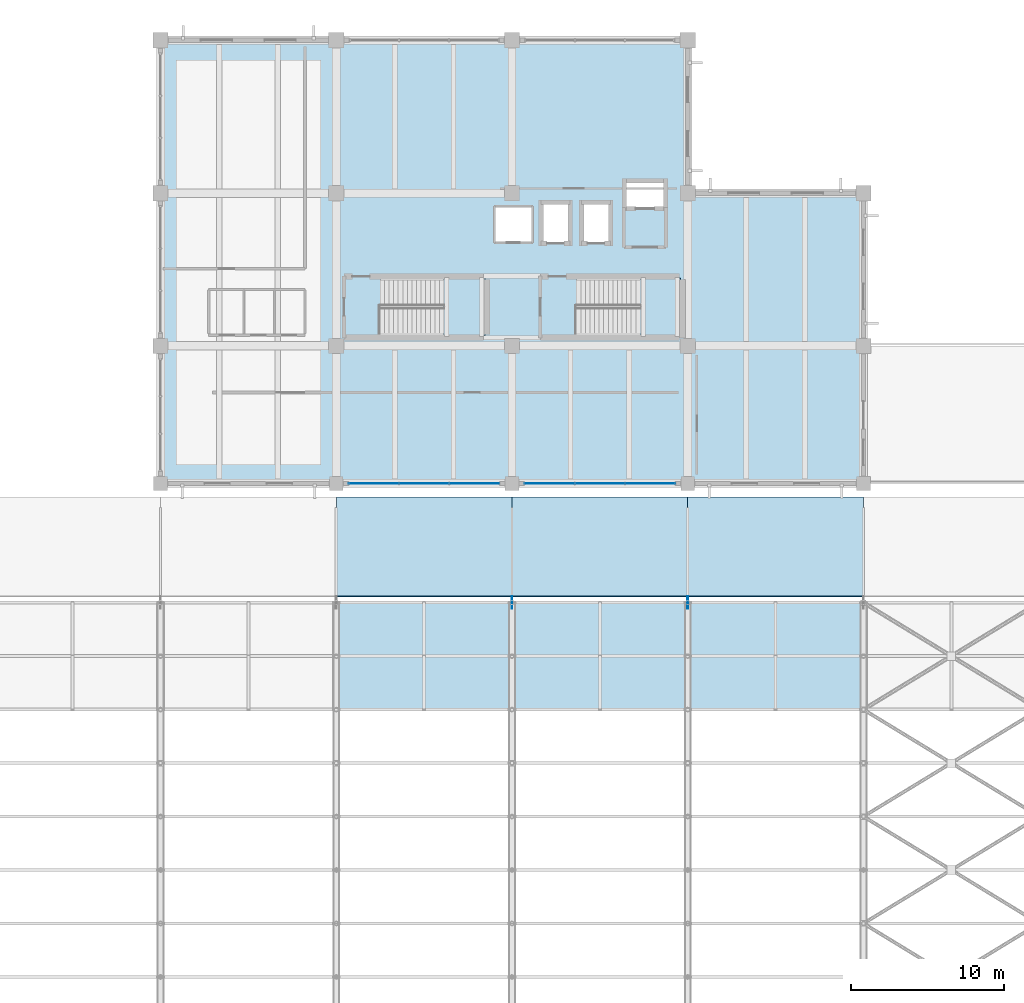
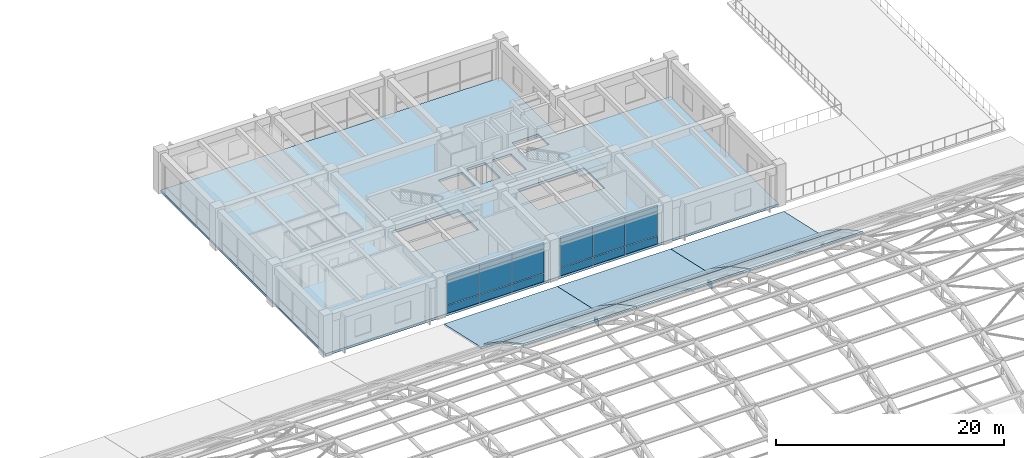
# One storey, part 132 of 154: 20 plates, 12 slabs, 4 elements without a shape of their own.
"""IFC4 building model written with IfcOpenShell, lengths in metres."""

from ifc_helpers import new_model, si_unit, direction, frame, origin, origin_2d, place, context, subcontext, project, spatial, polyline, rectangle, outline, extrude, material, layer, layer_set, type_object, element, aggregate, save


model = new_model("IFC4")

# Units and contexts
model_context = context("Model", 3, precision=1e-05, world=origin(), true_north=direction((0.0, 1.0)))
body_context = subcontext(model_context, "Body", "Model", "MODEL_VIEW")
ifc_project = project(units=[si_unit("LENGTHUNIT", "METRE"), si_unit("AREAUNIT", "SQUARE_METRE"), si_unit("VOLUMEUNIT", "CUBIC_METRE"), si_unit("PLANEANGLEUNIT", "RADIAN"), si_unit("MASSUNIT", "GRAM", prefix="KILO")], contexts=[model_context])

# Site, building, storey
site_placement = place(None, origin())
site = spatial("IfcSite", under=ifc_project, at=site_placement, CompositionType="ELEMENT")
building_placement = place(site_placement, origin())
building = spatial("IfcBuilding", under=site, at=building_placement, Name="Ologun Quay Terminus", CompositionType="ELEMENT")
storey_placement = place(building_placement, frame((0.0, 0.0, 13.800048828125)))
storey = spatial("IfcBuildingStorey", under=building, at=storey_placement, Name="L03", CompositionType="ELEMENT", Elevation=13.800048828125)

# Plates
ifc_material_1 = material(Name="Steel S355", Category="steel")
ifc_layer_1 = layer(ifc_material_1, 0.0400390625)
ifc_layer_set_1 = layer_set([ifc_layer_1], Name="Steel S355")
plate_type_1 = type_object("IfcPlateType", Name="Arch Springing Steel Gusset Plate 40", PredefinedType="SHEET", material=ifc_layer_set_1)
for number, where, z_axis, x_axis, name in (
    (1, (138.0, 78.0, -0.2001953125), (0.0, 0.0, 1.0), (0.0, 1.0, 0.0), "PL-GUS Arch Springing Gusset 13/F"),
    (2, (149.5, 78.0, -0.2001953125), (0.0, 0.0, 1.0), (0.0, 1.0, 0.0), "PL-GUS Arch Springing Gusset 14/F"),
):
    element("IfcPlate", number, at=place(storey_placement, frame(where, z_axis=z_axis, x_axis=x_axis)), inside=storey, type_object=plate_type_1, Name=name, PredefinedType="SHEET", context=body_context, shape_type="SweptSolid", body=[
        extrude(rectangle(XDim=0.800048828125, YDim=0.0400390625, at=origin_2d()), origin(), (0.0, 0.0, 1.0), 0.699951171875),
    ])

# Curtain wall, plates
ifc_material_2 = material(Name="Aluminium 6063-T6", Category="aluminium")
curtain_wall_type = type_object("IfcCurtainWallType", Name="Waterfront Pavilion Harbour Curtain Wall L03 10600x4150", PredefinedType="USERDEFINED", material=ifc_material_2)
curtain_wall_1_placement = place(storey_placement, origin())
curtain_wall_1 = element("IfcCurtainWall", 3, at=curtain_wall_1_placement, inside=storey, type_object=curtain_wall_type, Name="CW-25 Curtain Wall CW-L03-138", ObjectType="UNITISED CURTAIN WALL", PredefinedType="USERDEFINED")
ifc_material_3 = material(Name="Aluminium 6063-T6", Category="aluminium")
ifc_layer_2 = layer(ifc_material_3, 0.050048828125)
ifc_layer_set_2 = layer_set([ifc_layer_2], Name="Aluminium 6063-T6")
plate_type_2 = type_object("IfcPlateType", Name="Insulated Aluminium Shadow-Box Spandrel 50", PredefinedType="CURTAIN_PANEL", material=ifc_layer_set_2)
plate_1_placement = place(storey_placement, frame((128.96337890625, 85.800048828125, 0.02978515625), z_axis=(0.0, 0.0, 1.0), x_axis=(1.0, 0.0, 0.0)))
plate_1 = element("IfcPlate", 4, at=plate_1_placement, type_object=plate_type_2, Name="CW-L03-138 Panel B1-1", PredefinedType="CURTAIN_PANEL", context=body_context, shape_type="SweptSolid", body=[
    extrude(rectangle(XDim=3.28662109375, YDim=0.050048828125, at=origin_2d()), origin(), (0.0, 0.0, 1.0), 0.840087890625),
])
plate_2_placement = place(storey_placement, frame((132.25, 85.800048828125, 0.02978515625), z_axis=(0.0, 0.0, 1.0), x_axis=(1.0, 0.0, 0.0)))
plate_2 = element("IfcPlate", 5, at=plate_2_placement, type_object=plate_type_2, Name="CW-L03-138 Panel B2-1", PredefinedType="CURTAIN_PANEL", context=body_context, shape_type="SweptSolid", body=[
    extrude(rectangle(XDim=3.28662109375, YDim=0.050048828125, at=origin_2d()), origin(), (0.0, 0.0, 1.0), 0.840087890625),
])
plate_3_placement = place(storey_placement, frame((135.53662109375, 85.800048828125, 0.02978515625), z_axis=(0.0, 0.0, 1.0), x_axis=(1.0, 0.0, 0.0)))
plate_3 = element("IfcPlate", 6, at=plate_3_placement, type_object=plate_type_2, Name="CW-L03-138 Panel B3-1", PredefinedType="CURTAIN_PANEL", context=body_context, shape_type="SweptSolid", body=[
    extrude(rectangle(XDim=3.28662109375, YDim=0.050048828125, at=origin_2d()), origin(), (0.0, 0.0, 1.0), 0.840087890625),
])

curtain_wall_2_placement = place(storey_placement, origin())
curtain_wall_2 = element("IfcCurtainWall", 7, at=curtain_wall_2_placement, inside=storey, type_object=curtain_wall_type, Name="CW-25 Curtain Wall CW-L03-139", ObjectType="UNITISED CURTAIN WALL", PredefinedType="USERDEFINED")
plate_4_placement = place(storey_placement, frame((140.46337890625, 85.800048828125, 0.02978515625), z_axis=(0.0, 0.0, 1.0), x_axis=(1.0, 0.0, 0.0)))
plate_4 = element("IfcPlate", 8, at=plate_4_placement, type_object=plate_type_2, Name="CW-L03-139 Panel B1-1", PredefinedType="CURTAIN_PANEL", context=body_context, shape_type="SweptSolid", body=[
    extrude(rectangle(XDim=3.28662109375, YDim=0.050048828125, at=origin_2d()), origin(), (0.0, 0.0, 1.0), 0.840087890625),
])
plate_5_placement = place(storey_placement, frame((143.75, 85.800048828125, 0.02978515625), z_axis=(0.0, 0.0, 1.0), x_axis=(1.0, 0.0, 0.0)))
plate_5 = element("IfcPlate", 9, at=plate_5_placement, type_object=plate_type_2, Name="CW-L03-139 Panel B2-1", PredefinedType="CURTAIN_PANEL", context=body_context, shape_type="SweptSolid", body=[
    extrude(rectangle(XDim=3.28662109375, YDim=0.050048828125, at=origin_2d()), origin(), (0.0, 0.0, 1.0), 0.840087890625),
])
plate_6_placement = place(storey_placement, frame((147.03662109375, 85.800048828125, 0.02978515625), z_axis=(0.0, 0.0, 1.0), x_axis=(1.0, 0.0, 0.0)))
plate_6 = element("IfcPlate", 10, at=plate_6_placement, type_object=plate_type_2, Name="CW-L03-139 Panel B3-1", PredefinedType="CURTAIN_PANEL", context=body_context, shape_type="SweptSolid", body=[
    extrude(rectangle(XDim=3.28662109375, YDim=0.050048828125, at=origin_2d()), origin(), (0.0, 0.0, 1.0), 0.840087890625),
])

# Slabs
ifc_material_4 = material(Name="Concrete C40/50", Category="concrete")
ifc_layer_3 = layer(ifc_material_4, 0.25)
ifc_layer_set_3 = layer_set([ifc_layer_3], Name="Concrete C40/50")
slab_type_1 = type_object("IfcSlabType", Name="North Wing Floor Slab 250", PredefinedType="FLOOR", material=ifc_layer_set_3)
slab_1_placement = place(storey_placement, frame((0.0, 0.0, -0.25)))
element("IfcSlab", 11, at=slab_1_placement, inside=storey, type_object=slab_type_1, Name="SL-TWR Wing Floor Slab L03 EWNG", PredefinedType="FLOOR", context=body_context, shape_type="SweptSolid", body=[
    extrude(outline(polyline([(115.0, 85.800048828125), (161.0, 85.800048828125), (161.0, 104.800048828125), (149.5, 104.800048828125), (149.5, 114.800048828125), (115.0, 114.800048828125), (115.0, 85.800048828125)]), holes=[polyline([(145.35009765625, 103.780029296875), (145.35009765625, 105.6201171875), (148.050048828125, 105.6201171875), (148.050048828125, 103.780029296875), (145.35009765625, 103.780029296875)]), polyline([(139.89990234375, 101.5), (139.89990234375, 104.199951171875), (141.800048828125, 104.199951171875), (141.800048828125, 101.5), (139.89990234375, 101.5)]), polyline([(142.550048828125, 101.5), (142.550048828125, 104.199951171875), (144.449951171875, 104.199951171875), (144.449951171875, 101.5), (142.550048828125, 101.5)]), polyline([(129.3798828125, 95.550048828125), (129.3798828125, 99.14990234375), (136.14990234375, 99.14990234375), (136.14990234375, 95.550048828125), (129.3798828125, 95.550048828125)]), polyline([(142.22998046875, 95.550048828125), (142.22998046875, 99.14990234375), (148.949951171875, 99.14990234375), (148.949951171875, 95.550048828125), (142.22998046875, 95.550048828125)]), polyline([(136.89990234375, 101.60009765625), (136.89990234375, 103.89990234375), (139.300048828125, 103.89990234375), (139.300048828125, 101.60009765625), (136.89990234375, 101.60009765625)])]), origin(), (0.0, 0.0, 1.0), 0.25),
])
ifc_material_5 = material(Name="Concrete C40/50", Category="concrete")
ifc_layer_4 = layer(ifc_material_5, 0.199951171875)
ifc_layer_set_4 = layer_set([ifc_layer_4], Name="Concrete C40/50")
slab_type_2 = type_object("IfcSlabType", Name="Pitched Overhanging Concrete Roof Slab 200", PredefinedType="ROOF", material=ifc_layer_set_4)
for number, where, z_axis, x_axis, name in (
    (12, (126.5, 84.909912109375, -0.271240234375), (0.0, 0.21695378705, 0.976181875618), (1.0, 0.0, 0.0), "SL-RF North Gallery Sloped Roof Bay 12"),
    (13, (138.0, 84.909912109375, -0.271240234375), (0.0, 0.21695378705, 0.976181875618), (1.0, 0.0, 0.0), "SL-RF North Gallery Sloped Roof Bay 13"),
    (14, (149.5, 84.909912109375, -0.271240234375), (0.0, 0.21695378705, 0.976181875618), (1.0, 0.0, 0.0), "SL-RF North Gallery Sloped Roof Bay 14"),
):
    element("IfcSlab", number, at=place(storey_placement, frame(where, z_axis=z_axis, x_axis=x_axis)), inside=storey, type_object=slab_type_2, Name=name, PredefinedType="ROOF", context=body_context, shape_type="SweptSolid", body=[
        extrude(outline(polyline([(0.0, 0.0), (11.5, 0.0), (11.5, -6.648341253281022), (0.0, -6.648341253281022), (0.0, 0.0)])), origin(), (0.0, 0.0, -1.0), 0.199951171875),
    ])

# Stair, slab
ifc_material_6 = material(Name="Concrete C40/50", Category="concrete")
stair_type = type_object("IfcStairType", Name="Courtyard Wing Core Escape Stair 1700", PredefinedType="HALF_TURN_STAIR", material=ifc_material_6)
stair_1_placement = place(storey_placement, origin())
stair_1 = element("IfcStair", 15, at=stair_1_placement, inside=storey, type_object=stair_type, Name="ST-E1 Stair L03", PredefinedType="HALF_TURN_STAIR")
ifc_material_7 = material(Name="Precast Concrete C40/50", Category="concrete")
ifc_layer_5 = layer(ifc_material_7, 0.179931640625)
ifc_layer_set_5 = layer_set([ifc_layer_5], Name="Precast Concrete C40/50")
slab_type_3 = type_object("IfcSlabType", Name="Precast Stair Half-Landing Slab 180", PredefinedType="LANDING", material=ifc_layer_set_5)
slab_2_placement = place(storey_placement, frame((0.0, 0.0, 2.070068359375)))
slab_2 = element("IfcSlab", 16, at=slab_2_placement, type_object=slab_type_3, Name="ST-E1 Half-Landing L03", PredefinedType="LANDING", context=body_context, shape_type="SweptSolid", body=[
    extrude(outline(polyline([(133.52001953125, 95.469970703125), (136.22998046875, 95.469970703125), (136.22998046875, 99.22998046875), (133.52001953125, 99.22998046875), (133.52001953125, 95.469970703125)])), origin(), (0.0, 0.0, 1.0), 0.179931640625),
])
aggregate(stair_1, [slab_2])

stair_2_placement = place(storey_placement, origin())
stair_2 = element("IfcStair", 17, at=stair_2_placement, inside=storey, type_object=stair_type, Name="ST-E2 Stair L03", PredefinedType="HALF_TURN_STAIR")
slab_3_placement = place(storey_placement, frame((0.0, 0.0, 2.070068359375)))
slab_3 = element("IfcSlab", 18, at=slab_3_placement, type_object=slab_type_3, Name="ST-E2 Half-Landing L03", PredefinedType="LANDING", context=body_context, shape_type="SweptSolid", body=[
    extrude(outline(polyline([(146.3701171875, 95.469970703125), (149.030029296875, 95.469970703125), (149.030029296875, 99.22998046875), (146.3701171875, 99.22998046875), (146.3701171875, 95.469970703125)])), origin(), (0.0, 0.0, 1.0), 0.179931640625),
])
aggregate(stair_2, [slab_3])

# Plate
ifc_material_8 = material(Name="Glass", Category="glass")
ifc_layer_6 = layer(ifc_material_8, 0.028076171875)
ifc_layer_set_6 = layer_set([ifc_layer_6], Name="Glass")
plate_type_3 = type_object("IfcPlateType", Name="Solar-Control Double Glazed Panel 28", PredefinedType="CURTAIN_PANEL", material=ifc_layer_set_6)
plate_7_placement = place(storey_placement, frame((128.96337890625, 85.800048828125, 0.9296875), z_axis=(0.0, 0.0, 1.0), x_axis=(1.0, 0.0, 0.0)))
plate_7 = element("IfcPlate", 19, at=plate_7_placement, type_object=plate_type_3, Name="CW-L03-138 Panel B1-2", PredefinedType="CURTAIN_PANEL", context=body_context, shape_type="SweptSolid", body=[
    extrude(rectangle(XDim=3.28662109375, YDim=0.028076171875, at=origin_2d()), origin(), (0.0, 0.0, 1.0), 2.570068359375),
])

plate_8_placement = place(storey_placement, frame((128.96337890625, 85.800048828125, 3.56005859375), z_axis=(0.0, 0.0, 1.0), x_axis=(1.0, 0.0, 0.0)))
plate_8 = element("IfcPlate", 20, at=plate_8_placement, type_object=plate_type_3, Name="CW-L03-138 Panel B1-3", PredefinedType="CURTAIN_PANEL", context=body_context, shape_type="SweptSolid", body=[
    extrude(rectangle(XDim=3.28662109375, YDim=0.028076171875, at=origin_2d()), origin(), (0.0, 0.0, 1.0), 0.639892578125),
])

plate_9_placement = place(storey_placement, frame((132.25, 85.800048828125, 0.9296875), z_axis=(0.0, 0.0, 1.0), x_axis=(1.0, 0.0, 0.0)))
plate_9 = element("IfcPlate", 21, at=plate_9_placement, type_object=plate_type_3, Name="CW-L03-138 Panel B2-2", PredefinedType="CURTAIN_PANEL", context=body_context, shape_type="SweptSolid", body=[
    extrude(rectangle(XDim=3.28662109375, YDim=0.028076171875, at=origin_2d()), origin(), (0.0, 0.0, 1.0), 2.570068359375),
])

plate_10_placement = place(storey_placement, frame((132.25, 85.800048828125, 3.56005859375), z_axis=(0.0, 0.0, 1.0), x_axis=(1.0, 0.0, 0.0)))
plate_10 = element("IfcPlate", 22, at=plate_10_placement, type_object=plate_type_3, Name="CW-L03-138 Panel B2-3", PredefinedType="CURTAIN_PANEL", context=body_context, shape_type="SweptSolid", body=[
    extrude(rectangle(XDim=3.28662109375, YDim=0.028076171875, at=origin_2d()), origin(), (0.0, 0.0, 1.0), 0.639892578125),
])

plate_11_placement = place(storey_placement, frame((135.53662109375, 85.800048828125, 0.9296875), z_axis=(0.0, 0.0, 1.0), x_axis=(1.0, 0.0, 0.0)))
plate_11 = element("IfcPlate", 23, at=plate_11_placement, type_object=plate_type_3, Name="CW-L03-138 Panel B3-2", PredefinedType="CURTAIN_PANEL", context=body_context, shape_type="SweptSolid", body=[
    extrude(rectangle(XDim=3.28662109375, YDim=0.028076171875, at=origin_2d()), origin(), (0.0, 0.0, 1.0), 2.570068359375),
])

plate_12_placement = place(storey_placement, frame((135.53662109375, 85.800048828125, 3.56005859375), z_axis=(0.0, 0.0, 1.0), x_axis=(1.0, 0.0, 0.0)))
plate_12 = element("IfcPlate", 24, at=plate_12_placement, type_object=plate_type_3, Name="CW-L03-138 Panel B3-3", PredefinedType="CURTAIN_PANEL", context=body_context, shape_type="SweptSolid", body=[
    extrude(rectangle(XDim=3.28662109375, YDim=0.028076171875, at=origin_2d()), origin(), (0.0, 0.0, 1.0), 0.639892578125),
])

aggregate(curtain_wall_1, [plate_1, plate_7, plate_8, plate_2, plate_9, plate_10, plate_3, plate_11, plate_12])

plate_13_placement = place(storey_placement, frame((140.46337890625, 85.800048828125, 0.9296875), z_axis=(0.0, 0.0, 1.0), x_axis=(1.0, 0.0, 0.0)))
plate_13 = element("IfcPlate", 25, at=plate_13_placement, type_object=plate_type_3, Name="CW-L03-139 Panel B1-2", PredefinedType="CURTAIN_PANEL", context=body_context, shape_type="SweptSolid", body=[
    extrude(rectangle(XDim=3.28662109375, YDim=0.028076171875, at=origin_2d()), origin(), (0.0, 0.0, 1.0), 2.570068359375),
])

plate_14_placement = place(storey_placement, frame((140.46337890625, 85.800048828125, 3.56005859375), z_axis=(0.0, 0.0, 1.0), x_axis=(1.0, 0.0, 0.0)))
plate_14 = element("IfcPlate", 26, at=plate_14_placement, type_object=plate_type_3, Name="CW-L03-139 Panel B1-3", PredefinedType="CURTAIN_PANEL", context=body_context, shape_type="SweptSolid", body=[
    extrude(rectangle(XDim=3.28662109375, YDim=0.028076171875, at=origin_2d()), origin(), (0.0, 0.0, 1.0), 0.639892578125),
])

plate_15_placement = place(storey_placement, frame((143.75, 85.800048828125, 0.9296875), z_axis=(0.0, 0.0, 1.0), x_axis=(1.0, 0.0, 0.0)))
plate_15 = element("IfcPlate", 27, at=plate_15_placement, type_object=plate_type_3, Name="CW-L03-139 Panel B2-2", PredefinedType="CURTAIN_PANEL", context=body_context, shape_type="SweptSolid", body=[
    extrude(rectangle(XDim=3.28662109375, YDim=0.028076171875, at=origin_2d()), origin(), (0.0, 0.0, 1.0), 2.570068359375),
])

plate_16_placement = place(storey_placement, frame((143.75, 85.800048828125, 3.56005859375), z_axis=(0.0, 0.0, 1.0), x_axis=(1.0, 0.0, 0.0)))
plate_16 = element("IfcPlate", 28, at=plate_16_placement, type_object=plate_type_3, Name="CW-L03-139 Panel B2-3", PredefinedType="CURTAIN_PANEL", context=body_context, shape_type="SweptSolid", body=[
    extrude(rectangle(XDim=3.28662109375, YDim=0.028076171875, at=origin_2d()), origin(), (0.0, 0.0, 1.0), 0.639892578125),
])

plate_17_placement = place(storey_placement, frame((147.03662109375, 85.800048828125, 0.9296875), z_axis=(0.0, 0.0, 1.0), x_axis=(1.0, 0.0, 0.0)))
plate_17 = element("IfcPlate", 29, at=plate_17_placement, type_object=plate_type_3, Name="CW-L03-139 Panel B3-2", PredefinedType="CURTAIN_PANEL", context=body_context, shape_type="SweptSolid", body=[
    extrude(rectangle(XDim=3.28662109375, YDim=0.028076171875, at=origin_2d()), origin(), (0.0, 0.0, 1.0), 2.570068359375),
])

plate_18_placement = place(storey_placement, frame((147.03662109375, 85.800048828125, 3.56005859375), z_axis=(0.0, 0.0, 1.0), x_axis=(1.0, 0.0, 0.0)))
plate_18 = element("IfcPlate", 30, at=plate_18_placement, type_object=plate_type_3, Name="CW-L03-139 Panel B3-3", PredefinedType="CURTAIN_PANEL", context=body_context, shape_type="SweptSolid", body=[
    extrude(rectangle(XDim=3.28662109375, YDim=0.028076171875, at=origin_2d()), origin(), (0.0, 0.0, 1.0), 0.639892578125),
])

aggregate(curtain_wall_2, [plate_4, plate_13, plate_14, plate_5, plate_15, plate_16, plate_6, plate_17, plate_18])

# Slabs
ifc_material_9 = material(Name="Steel S355", Category="steel")
ifc_layer_7 = layer(ifc_material_9, 0.159912109375)
ifc_layer_set_7 = layer_set([ifc_layer_7], Name="Steel S355")
slab_type_4 = type_object("IfcSlabType", Name="Train Shed Barrel Roof Facet Slab 160", PredefinedType="ROOF", material=ifc_layer_set_7)
slab_4_placement = place(storey_placement, frame((126.5, 71.0, 6.0283203125), z_axis=(0.0, 0.473176099324, 0.880967864924), x_axis=(1.0, 0.0, 0.0)))
element("IfcSlab", 31, at=slab_4_placement, inside=storey, type_object=slab_type_4, Name="SL-SHD Train Shed Eave Roof Facet B12-P11", PredefinedType="ROOF", context=body_context, shape_type="SweptSolid", body=[
    extrude(outline(polyline([(0.0, 0.0), (11.5, 0.0), (11.5, 3.972903143638529), (0.0, 3.972903143638529), (0.0, 0.0)])), origin(), (0.0, 0.0, -1.0), 0.159912109375),
])
slab_5_placement = place(storey_placement, frame((126.5, 74.5, 4.158203125), z_axis=(0.0, 0.55717065423, 0.830398014247), x_axis=(1.0, 0.0, 0.0)))
element("IfcSlab", 32, at=slab_5_placement, inside=storey, type_object=slab_type_4, Name="SL-SHD Train Shed Eave Roof Facet B12-P12", PredefinedType="ROOF", context=body_context, shape_type="SweptSolid", body=[
    extrude(outline(polyline([(0.0, 0.0), (11.5, 0.0), (11.5, 4.214846302558472), (0.0, 4.214846302558472), (0.0, 0.0)])), origin(), (0.0, 0.0, -1.0), 0.159912109375),
])
slab_6_placement = place(storey_placement, frame((138.0, 71.0, 6.0283203125), z_axis=(0.0, 0.473176099324, 0.880967864924), x_axis=(1.0, 0.0, 0.0)))
element("IfcSlab", 33, at=slab_6_placement, inside=storey, type_object=slab_type_4, Name="SL-SHD Train Shed Eave Roof Facet B13-P11", PredefinedType="ROOF", context=body_context, shape_type="SweptSolid", body=[
    extrude(outline(polyline([(0.0, 0.0), (11.5, 0.0), (11.5, 3.972903143638529), (0.0, 3.972903143638529), (0.0, 0.0)])), origin(), (0.0, 0.0, -1.0), 0.159912109375),
])
slab_7_placement = place(storey_placement, frame((138.0, 74.5, 4.158203125), z_axis=(0.0, 0.55717065423, 0.830398014247), x_axis=(1.0, 0.0, 0.0)))
element("IfcSlab", 34, at=slab_7_placement, inside=storey, type_object=slab_type_4, Name="SL-SHD Train Shed Eave Roof Facet B13-P12", PredefinedType="ROOF", context=body_context, shape_type="SweptSolid", body=[
    extrude(outline(polyline([(0.0, 0.0), (11.5, 0.0), (11.5, 4.214846302558472), (0.0, 4.214846302558472), (0.0, 0.0)])), origin(), (0.0, 0.0, -1.0), 0.159912109375),
])
slab_8_placement = place(storey_placement, frame((149.5, 71.0, 6.0283203125), z_axis=(0.0, 0.473176099324, 0.880967864924), x_axis=(1.0, 0.0, 0.0)))
element("IfcSlab", 35, at=slab_8_placement, inside=storey, type_object=slab_type_4, Name="SL-SHD Train Shed Eave Roof Facet B14-P11", PredefinedType="ROOF", context=body_context, shape_type="SweptSolid", body=[
    extrude(outline(polyline([(0.0, 0.0), (11.5, 0.0), (11.5, 3.972903143638529), (0.0, 3.972903143638529), (0.0, 0.0)])), origin(), (0.0, 0.0, -1.0), 0.159912109375),
])
slab_9_placement = place(storey_placement, frame((149.5, 74.5, 4.158203125), z_axis=(0.0, 0.55717065423, 0.830398014247), x_axis=(1.0, 0.0, 0.0)))
element("IfcSlab", 36, at=slab_9_placement, inside=storey, type_object=slab_type_4, Name="SL-SHD Train Shed Eave Roof Facet B14-P12", PredefinedType="ROOF", context=body_context, shape_type="SweptSolid", body=[
    extrude(outline(polyline([(0.0, 0.0), (11.5, 0.0), (11.5, 4.214846302558472), (0.0, 4.214846302558472), (0.0, 0.0)])), origin(), (0.0, 0.0, -1.0), 0.159912109375),
])

save(model, "model.ifc")
